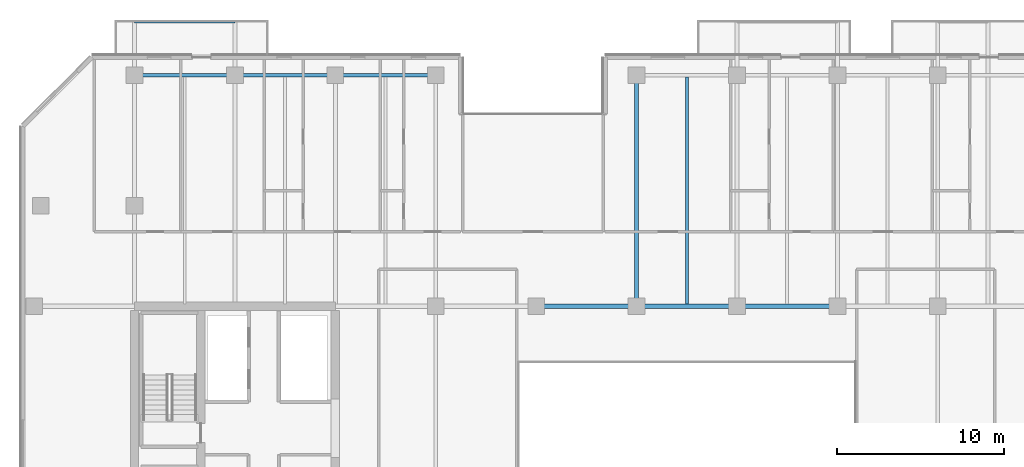
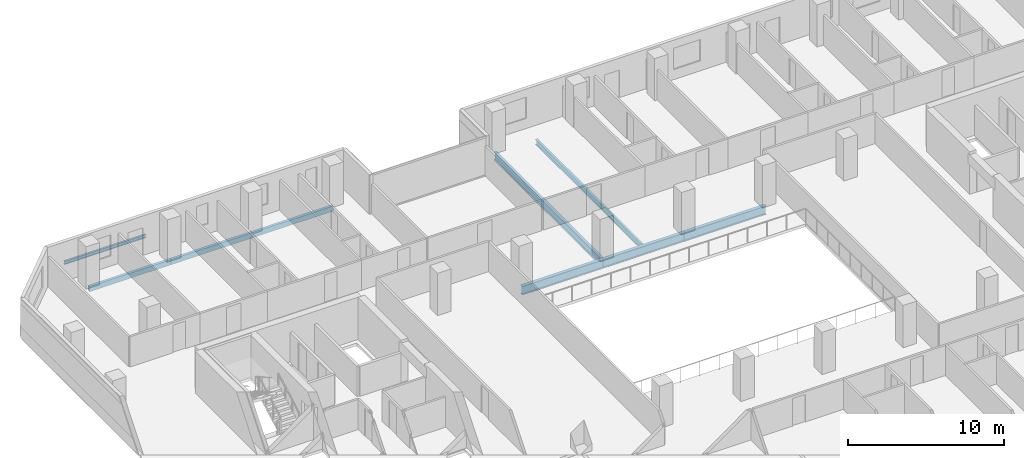
# One storey, part 7 of 23: 9 beams.
"""IFC4 building model written with IfcOpenShell, lengths in metres."""

import ifcopenshell
import ifcopenshell.guid

model = None  # the IFC model being written
_history = None  # IfcOwnerHistory: only IFC2X3 demands one
_inside = {}  # id of a spatial element -> (the spatial element, [elements in it])
_under = {}  # id of a project, library or spatial element -> (it, [spatial elements below it])
_declared = {}  # id of a project -> (the project, [libraries it declares])
_typed = {}  # id of a type object -> (the type object, [elements of that type])
_made_of = {}  # id of a material, layer set ... -> (it, [elements and type objects made of it])


def new_model(schema):
    """Start an empty IFC model of exactly this schema.

    Asked for "IFC4X3", IfcOpenShell would pick the latest addendum, in which some entities
    have other attributes; the version numbers below select the first issue.
    IFC2X3 requires an IfcOwnerHistory on every rooted entity: one is made here for all.
    """
    global model, _history
    if schema == "IFC4X3":
        model = ifcopenshell.file(schema_version=(4, 3, 0, 0))
    else:
        model = ifcopenshell.file(schema=schema)
    _inside.clear()
    _under.clear()
    _declared.clear()
    _typed.clear()
    _made_of.clear()
    _history = None
    if model.schema == "IFC2X3":
        org = make("IfcOrganization", Name="unknown")
        user = make(
            "IfcPersonAndOrganization",
            ThePerson=make("IfcPerson", FamilyName="unknown"),
            TheOrganization=org,
        )
        app = make(
            "IfcApplication",
            ApplicationDeveloper=org,
            Version="unknown",
            ApplicationFullName="unknown",
            ApplicationIdentifier="unknown",
        )
        _history = make(
            "IfcOwnerHistory",
            OwningUser=user,
            OwningApplication=app,
            ChangeAction="ADDED",
            CreationDate=0,
        )
    return model


def make(cls, **values):
    """One entity of the class cls with the attributes given. An attribute that is None is left unset."""
    return model.create_entity(
        cls, **{name: value for name, value in values.items() if value is not None}
    )


def rooted(cls, **values):
    """An entity with a GlobalId (a new one), such as an element, a storey or a relation."""
    return make(cls, GlobalId=ifcopenshell.guid.new(), OwnerHistory=_history, **values)


def si_unit(unit_type, name, prefix=None):
    """IfcSIUnit, for example si_unit("LENGTHUNIT", "METRE", prefix="MILLI")."""
    return make("IfcSIUnit", UnitType=unit_type, Prefix=prefix, Name=name)


def assignment(units):
    """IfcUnitAssignment: the units of a project."""
    return None if units is None else make("IfcUnitAssignment", Units=units)


def point(xyz):
    """IfcCartesianPoint."""
    return None if xyz is None else make("IfcCartesianPoint", Coordinates=xyz)


def direction(xyz):
    """IfcDirection."""
    return None if xyz is None else make("IfcDirection", DirectionRatios=xyz)


def frame(location, z_axis=None, x_axis=None):
    """IfcAxis2Placement3D, a coordinate frame: its origin and axes. An axis left out is left unset."""
    return make(
        "IfcAxis2Placement3D",
        Location=point(location),
        Axis=direction(z_axis),
        RefDirection=direction(x_axis),
    )


def frame_2d(location, x_axis=None):
    """IfcAxis2Placement2D, a coordinate frame in the plane: its origin and x axis."""
    return make(
        "IfcAxis2Placement2D", Location=point(location), RefDirection=direction(x_axis)
    )


def origin():
    """The frame at (0, 0, 0) with its axes left unset."""
    return frame((0.0, 0.0, 0.0))


def origin_2d():
    """The frame at (0, 0) in the plane with its x axis left unset."""
    return frame_2d((0.0, 0.0))


def place(relative_to, where):
    """IfcLocalPlacement: puts the frame where relative to a parent placement (None: the world)."""
    return make(
        "IfcLocalPlacement", PlacementRelTo=relative_to, RelativePlacement=where
    )


def context(
    kind, dimensions, precision=None, world=None, true_north=None, identifier=None
):
    """IfcGeometricRepresentationContext, for example the 3D "Model" context."""
    return make(
        "IfcGeometricRepresentationContext",
        ContextIdentifier=identifier,
        ContextType=kind,
        CoordinateSpaceDimension=dimensions,
        Precision=precision,
        WorldCoordinateSystem=world,
        TrueNorth=true_north,
    )


def subcontext(parent, identifier, kind, view, scale=None):
    """IfcGeometricRepresentationSubContext, for example "Body" below "Model"."""
    return make(
        "IfcGeometricRepresentationSubContext",
        ContextIdentifier=identifier,
        ContextType=kind,
        ParentContext=parent,
        TargetScale=scale,
        TargetView=view,
    )


def project(units=None, contexts=None):
    """IfcProject with its units and contexts."""
    return rooted(
        "IfcProject",
        Name="project",
        RepresentationContexts=contexts,
        UnitsInContext=assignment(units),
    )


def spatial(cls, under=None, at=None, **own):
    """A site, building, storey or space (cls), placed at a placement, below another one or the project."""
    s = rooted(cls, ObjectPlacement=at, **own)
    if under is not None:
        _under.setdefault(under.id(), (under, []))[1].append(s)
    return s


def profile(cls, at=None, kind="AREA", **sizes):
    """A parametric profile (cls). Its sizes go by their IFC names, for example OverallWidth=200.0."""
    return make(cls, ProfileType=kind, Position=at, **sizes)


def hollow_rectangle(**sizes):
    """IfcRectangleHollowProfileDef."""
    return profile("IfcRectangleHollowProfileDef", **sizes)


def i_section(**sizes):
    """IfcIShapeProfileDef."""
    return profile("IfcIShapeProfileDef", **sizes)


def extrude(swept, where, along, depth):
    """IfcExtrudedAreaSolid: the profile swept, set in the frame where, extruded along a direction by depth."""
    return make(
        "IfcExtrudedAreaSolid",
        SweptArea=swept,
        Position=where,
        ExtrudedDirection=direction(along),
        Depth=depth,
    )


def shape(context_of_items, identifier, shape_type, items):
    """IfcShapeRepresentation: the items that make up one representation, for example the "Body"."""
    return make(
        "IfcShapeRepresentation",
        ContextOfItems=context_of_items,
        RepresentationIdentifier=identifier,
        RepresentationType=shape_type,
        Items=items,
    )


def material(Name=None, Category=None):
    """IfcMaterial."""
    return make("IfcMaterial", Name=Name, Category=Category)


def material_profile(
    of_material, cross_section, Name=None, Category=None, Priority=None
):
    """IfcMaterialProfile: a cross section and its material."""
    return make(
        "IfcMaterialProfile",
        Name=Name,
        Material=of_material,
        Profile=cross_section,
        Priority=Priority,
        Category=Category,
    )


def profile_set(profiles, Name=None, composite=None):
    """IfcMaterialProfileSet."""
    return make(
        "IfcMaterialProfileSet",
        Name=Name,
        MaterialProfiles=profiles,
        CompositeProfile=composite,
    )


def made_of(thing, what):
    """Note that an element or type object is made of a material, layer set ...; save() writes the relation."""
    if what is not None:
        _made_of.setdefault(what.id(), (what, []))[1].append(thing)
    return thing


def type_object(cls, material=None, **own):
    """A type object (cls), such as IfcWallType, which elements share."""
    return made_of(rooted(cls, **own), material)


def element(
    cls,
    number,
    at=None,
    inside=None,
    cuts=None,
    type_object=None,
    material=None,
    context=None,
    identifier="Body",
    shape_type=None,
    held_by="IfcProductDefinitionShape",
    body=None,
    shapes=None,
    **own,
):
    """One element of the class cls, such as IfcWall. Its Tag is "e" and its number.

    at: its placement. inside: the storey or other place that contains it. cuts: it is an
    opening in that element (IfcRelVoidsElement). A single representation is given by context,
    identifier, shape_type and body (its items); several are given by shapes. held_by: the class
    of the entity that holds the representations. save() writes the other relations.
    """
    e = rooted(cls, Tag="e%d" % number, ObjectPlacement=at, **own)
    if body is not None:
        shapes = [shape(context, identifier, shape_type, body)]
    if shapes is not None:
        e.Representation = make(held_by, Representations=shapes)
    if inside is not None:
        _inside.setdefault(inside.id(), (inside, []))[1].append(e)
    if cuts is not None:
        rooted(
            "IfcRelVoidsElement", RelatingBuildingElement=cuts, RelatedOpeningElement=e
        )
    if type_object is not None:
        _typed.setdefault(type_object.id(), (type_object, []))[1].append(e)
    return made_of(e, material)


def aggregate(whole, parts):
    """IfcRelAggregates: a whole, such as a stair, and the parts it consists of."""
    return rooted("IfcRelAggregates", RelatingObject=whole, RelatedObjects=parts)


def save(model, path):
    """Write the relations noted so far, then the file.

    IfcRelAggregates (storeys below a building ...), IfcRelContainedInSpatialStructure (elements
    in a storey), IfcRelDefinesByType, IfcRelAssociatesMaterial and IfcRelDeclares: one each for
    every whole, place, type object, material and project.
    """
    for whole, parts in _under.values():
        aggregate(whole, parts)
    for where, things in _inside.values():
        rooted(
            "IfcRelContainedInSpatialStructure",
            RelatedElements=things,
            RelatingStructure=where,
        )
    for kind, things in _typed.values():
        rooted("IfcRelDefinesByType", RelatedObjects=things, RelatingType=kind)
    for what, things in _made_of.values():
        rooted("IfcRelAssociatesMaterial", RelatedObjects=things, RelatingMaterial=what)
    for by, libraries in _declared.values():
        rooted("IfcRelDeclares", RelatingContext=by, RelatedDefinitions=libraries)
    model.write(path)


model = new_model("IFC4")

# Units and contexts
model_context = context("Model", 3, precision=1e-05, world=origin(), true_north=direction((0.0, 1.0)))
body_context = subcontext(model_context, "Body", "Model", "MODEL_VIEW")
ifc_project = project(units=[si_unit("LENGTHUNIT", "METRE"), si_unit("AREAUNIT", "SQUARE_METRE"), si_unit("VOLUMEUNIT", "CUBIC_METRE"), si_unit("PLANEANGLEUNIT", "RADIAN"), si_unit("MASSUNIT", "GRAM", prefix="KILO")], contexts=[model_context])

# Site, building, storey
site_placement = place(None, origin())
site = spatial("IfcSite", under=ifc_project, at=site_placement, CompositionType="ELEMENT")
building_placement = place(site_placement, origin())
building = spatial("IfcBuilding", under=site, at=building_placement, Name="Tanjung Sevakor Pilgrim Tower", CompositionType="ELEMENT")
storey_placement = place(building_placement, frame((0.0, 0.0, 98.669921875)))
storey = spatial("IfcBuildingStorey", under=building, at=storey_placement, Name="L27", CompositionType="ELEMENT", Elevation=98.669921875)

# Beams
ifc_material_1 = material(Name="Steel S355J2", Category="steel")
ifc_material_profile_1 = material_profile(ifc_material_1, i_section(OverallWidth=0.25439453125, OverallDepth=0.6875, WebThickness=0.01318359375, FlangeThickness=0.02099609375, FilletRadius=0.01513671875, at=origin_2d()))
ifc_profile_set_1 = profile_set([ifc_material_profile_1], Name="Steel S355J2")
beam_type_1 = type_object("IfcBeamType", Name="BM-B-G2-UB_686x254x152", PredefinedType="BEAM", material=ifc_profile_set_1)
for number, where, z_axis, x_axis, name in (
    (1, (48.0, 42.60009765625, -0.563720703125), (1.0, 0.0, 0.0), (0.0, 1.0, 0.0), "L27 Primary Floor Girder MAIN Y426-04"),
    (2, (54.0, 42.60009765625, -0.563720703125), (1.0, 0.0, 0.0), (0.0, 1.0, 0.0), "L27 Primary Floor Girder MAIN Y426-05"),
    (3, (60.0, 42.60009765625, -0.563720703125), (1.0, 0.0, 0.0), (0.0, 1.0, 0.0), "L27 Primary Floor Girder MAIN Y426-06"),
):
    element("IfcBeam", number, at=place(storey_placement, frame(where, z_axis=z_axis, x_axis=x_axis)), inside=storey, type_object=beam_type_1, Name=name, PredefinedType="BEAM", context=body_context, shape_type="SweptSolid", body=[
        extrude(i_section(OverallWidth=0.25439453125, OverallDepth=0.6875, WebThickness=0.01318359375, FlangeThickness=0.02099609375, FilletRadius=0.01513671875, at=origin_2d()), origin(), (0.0, 0.0, 1.0), 6.0),
    ])
ifc_material_2 = material(Name="Steel S355J2", Category="steel")
ifc_material_profile_2 = material_profile(ifc_material_2, i_section(OverallWidth=0.230224609375, OverallDepth=0.6171875, WebThickness=0.01318359375, FlangeThickness=0.022216796875, FilletRadius=0.0126953125, at=origin_2d()))
ifc_profile_set_2 = profile_set([ifc_material_profile_2], Name="Steel S355J2")
beam_type_2 = type_object("IfcBeamType", Name="BM-B-G3-UB_610x229x140", PredefinedType="BEAM", material=ifc_profile_set_2)
beam_1_placement = place(storey_placement, frame((54.0, 42.60009765625, -0.528564453125), z_axis=(0.0, 1.0, 0.0), x_axis=(-1.0, 0.0, 0.0)))
element("IfcBeam", 4, at=beam_1_placement, inside=storey, type_object=beam_type_2, Name="L27 MAIN Girder 013", PredefinedType="BEAM", context=body_context, shape_type="SweptSolid", body=[
    extrude(i_section(OverallWidth=0.230224609375, OverallDepth=0.6171875, WebThickness=0.01318359375, FlangeThickness=0.022216796875, FilletRadius=0.0126953125, at=origin_2d()), origin(), (0.0, 0.0, 1.0), 13.7998046875),
])
ifc_material_3 = material(Name="Steel S355J2", Category="steel")
ifc_material_profile_3 = material_profile(ifc_material_3, i_section(OverallWidth=0.1787109375, OverallDepth=0.409423828125, WebThickness=0.0087890625, FlangeThickness=0.014404296875, FilletRadius=0.01025390625, at=origin_2d()))
ifc_profile_set_3 = profile_set([ifc_material_profile_3], Name="Steel S355J2")
beam_type_3 = type_object("IfcBeamType", Name="BM-B-J3-UB_406x178x67", PredefinedType="JOIST", material=ifc_profile_set_3)
beam_2_placement = place(storey_placement, frame((57.0, 42.727294921875, -0.424560546875), z_axis=(0.0, 1.0, 0.0), x_axis=(-1.0, 0.0, 0.0)))
element("IfcBeam", 5, at=beam_2_placement, inside=storey, type_object=beam_type_3, Name="L27 MAIN Joist 015", PredefinedType="JOIST", context=body_context, shape_type="SweptSolid", body=[
    extrude(i_section(OverallWidth=0.1787109375, OverallDepth=0.409423828125, WebThickness=0.0087890625, FlangeThickness=0.014404296875, FilletRadius=0.01025390625, at=origin_2d()), origin(), (0.0, 0.0, 1.0), 13.57275390625),
])
ifc_material_4 = material(Name="Steel S355J2", Category="steel")
ifc_material_profile_4 = material_profile(ifc_material_4, i_section(OverallWidth=0.146484375, OverallDepth=0.256103515625, WebThickness=0.00634765625, FlangeThickness=0.010986328125, FilletRadius=0.007568359375, at=origin_2d()))
ifc_profile_set_4 = profile_set([ifc_material_profile_4], Name="Steel S355J2")
beam_type_4 = type_object("IfcBeamType", Name="BM-B-J6-UB_254x146x37", PredefinedType="JOIST", material=ifc_profile_set_4)
beam_3_placement = place(storey_placement, frame((24.0, 59.580078125, -0.327880859375), z_axis=(1.0, 0.0, 0.0), x_axis=(0.0, 1.0, 0.0)))
element("IfcBeam", 6, at=beam_3_placement, inside=storey, type_object=beam_type_4, Name="L27 Balcony Rim Tie MAIN-N1", PredefinedType="JOIST", context=body_context, shape_type="SweptSolid", body=[
    extrude(i_section(OverallWidth=0.146484375, OverallDepth=0.256103515625, WebThickness=0.00634765625, FlangeThickness=0.010986328125, FilletRadius=0.007568359375, at=origin_2d()), origin(), (0.0, 0.0, 1.0), 6.0),
])
ifc_material_5 = material(Name="Steel S355J2", Category="steel")
ifc_material_profile_5 = material_profile(ifc_material_5, hollow_rectangle(XDim=0.199951171875, YDim=0.39990234375, WallThickness=0.01611328125, at=origin_2d()))
ifc_profile_set_5 = profile_set([ifc_material_profile_5], Name="Steel S355J2")
beam_type_5 = type_object("IfcBeamType", Name="BM-B-SP2-RHS_400x200x16", PredefinedType="SPANDREL", material=ifc_profile_set_5)
for number, where, z_axis, x_axis, name in (
    (7, (24.0, 56.39990234375, -0.419921875), (1.0, 0.0, 0.0), (0.0, 1.0, 0.0), "L27 Spandrel MAIN N-02"),
    (8, (30.0, 56.39990234375, -0.419921875), (1.0, 0.0, 0.0), (0.0, 1.0, 0.0), "L27 Spandrel MAIN N-04"),
    (9, (36.0, 56.39990234375, -0.419921875), (1.0, 0.0, 0.0), (0.0, 1.0, 0.0), "L27 Spandrel MAIN N-06"),
):
    element("IfcBeam", number, at=place(storey_placement, frame(where, z_axis=z_axis, x_axis=x_axis)), inside=storey, type_object=beam_type_5, Name=name, PredefinedType="SPANDREL", context=body_context, shape_type="SweptSolid", body=[
        extrude(hollow_rectangle(XDim=0.199951171875, YDim=0.39990234375, WallThickness=0.01611328125, at=origin_2d()), origin(), (0.0, 0.0, 1.0), 6.0),
    ])

save(model, "model.ifc")
